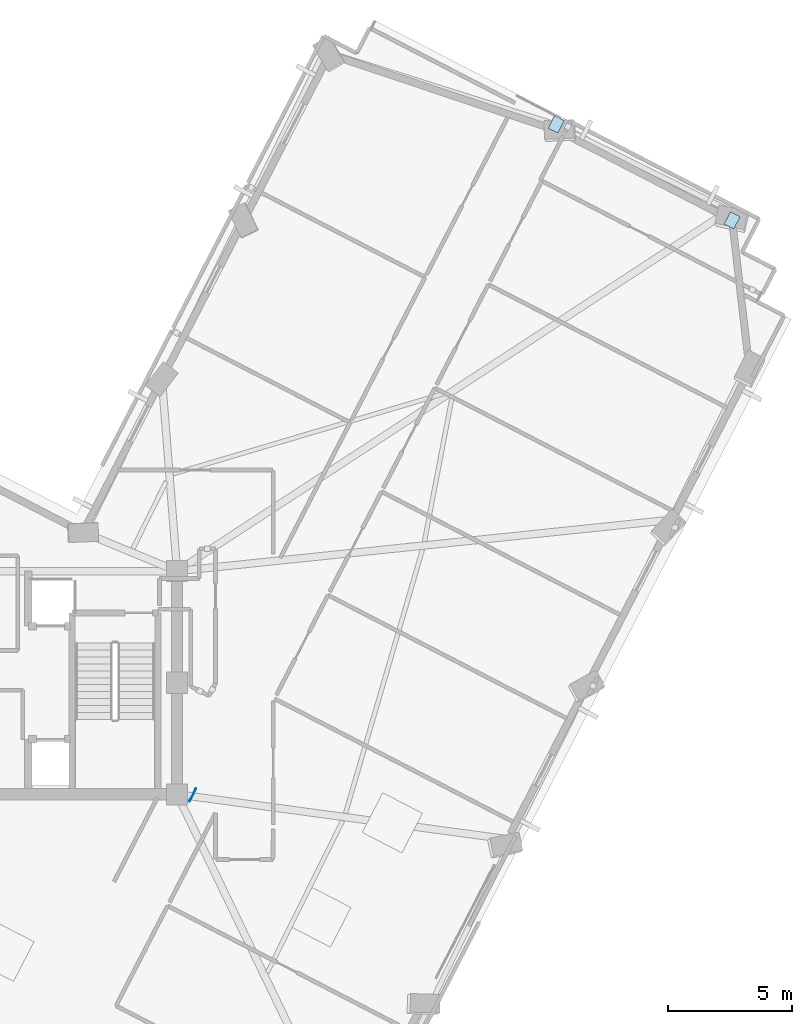
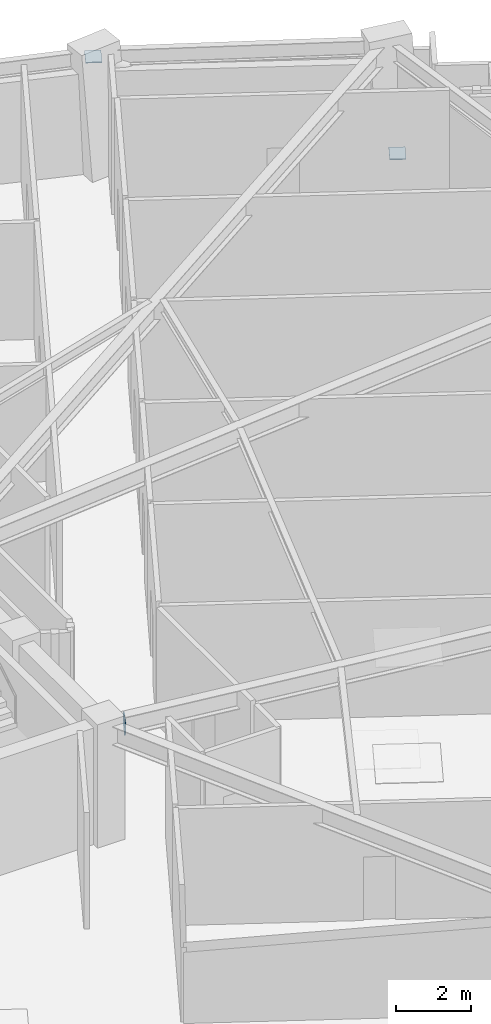
# One storey, part 4 of 11: 4 plates.
"""IFC4 building model written with IfcOpenShell, lengths in metres."""

from ifc_helpers import new_model, si_unit, direction, frame, origin, origin_2d, place, context, subcontext, project, spatial, rectangle, extrude, material, layer, layer_set, type_object, element, save


model = new_model("IFC4")

# Units and contexts
model_context = context("Model", 3, precision=1e-05, world=origin(), true_north=direction((0.0, 1.0)))
body_context = subcontext(model_context, "Body", "Model", "MODEL_VIEW")
ifc_project = project(units=[si_unit("LENGTHUNIT", "METRE"), si_unit("AREAUNIT", "SQUARE_METRE"), si_unit("VOLUMEUNIT", "CUBIC_METRE"), si_unit("PLANEANGLEUNIT", "RADIAN"), si_unit("MASSUNIT", "GRAM", prefix="KILO")], contexts=[model_context])

# Site, building, storey
site_placement = place(None, origin())
site = spatial("IfcSite", under=ifc_project, at=site_placement, CompositionType="ELEMENT")
building_placement = place(site_placement, origin())
building = spatial("IfcBuilding", under=site, at=building_placement, Name="Gaonmaruhae Medical Tower", CompositionType="ELEMENT")
storey_placement = place(building_placement, frame((0.0, 0.0, 292.60009765625)))
storey = spatial("IfcBuildingStorey", under=building, at=storey_placement, Name="L70", CompositionType="ELEMENT", Elevation=292.60009765625)

# Plates
ifc_material = material(Name="Steel HSA650 (650 MPa)", Category="steel")
ifc_layer_1 = layer(ifc_material, 0.028076171875)
ifc_layer_set_1 = layer_set([ifc_layer_1], Name="Steel HSA650 (650 MPa)")
plate_type_1 = type_object("IfcPlateType", Name="GP-02 Tube Brace End Cap Gusset Plate", PredefinedType="USERDEFINED", material=ifc_layer_set_1)
for number, where, z_axis, x_axis, name in (
    (1, (57.987060546875, 30.949951171875, 0.23583984375), (0.0, 0.0, 1.0), (0.458649554484, 0.888617232655, 0.0), "L70 Gusset Cap Plate PLT-L70-PBR-E01A"),
    (2, (50.89208984375, 34.8154296875, 3.515625), (0.0, 0.0, 1.0), (0.443853354011, 0.896099436521, 0.0), "L70 Gusset Cap Plate PLT-L70-PBR-E01B"),
):
    element("IfcPlate", number, at=place(storey_placement, frame(where, z_axis=z_axis, x_axis=x_axis)), inside=storey, type_object=plate_type_1, Name=name, ObjectType="GUSSET_PLATE", PredefinedType="USERDEFINED", context=body_context, shape_type="SweptSolid", body=[
        extrude(rectangle(XDim=0.56005859375, YDim=0.43994140625, at=origin_2d()), origin(), (0.0, 0.0, 1.0), 0.028076171875),
    ])
ifc_layer_2 = layer(ifc_material, 0.02392578125)
ifc_layer_set_2 = layer_set([ifc_layer_2], Name="Steel HSA650 (650 MPa)")
plate_type_2 = type_object("IfcPlateType", Name="SP-P1 Girder Web Splice Plate", PredefinedType="SHEET", material=ifc_layer_set_2)
for number, where, z_axis, x_axis, name in (
    (3, (36.2216796875, 7.7548828125, 3.25), (0.0, 0.0, 1.0), (0.443853354011, 0.896099436521, 0.0), "L70 Girder Web Splice Plate SPL1"),
    (4, (36.24951171875, 7.793212890625, 3.25), (0.0, 0.0, 1.0), (0.443853354011, 0.896099436521, 0.0), "L70 Girder Web Splice Plate SPL2"),
):
    element("IfcPlate", number, at=place(storey_placement, frame(where, z_axis=z_axis, x_axis=x_axis)), inside=storey, type_object=plate_type_2, Name=name, PredefinedType="SHEET", context=body_context, shape_type="SweptSolid", body=[
        extrude(rectangle(XDim=0.5400390625, YDim=0.02392578125, at=origin_2d()), origin(), (0.0, 0.0, 1.0), 0.360107421875),
    ])

save(model, "model.ifc")
